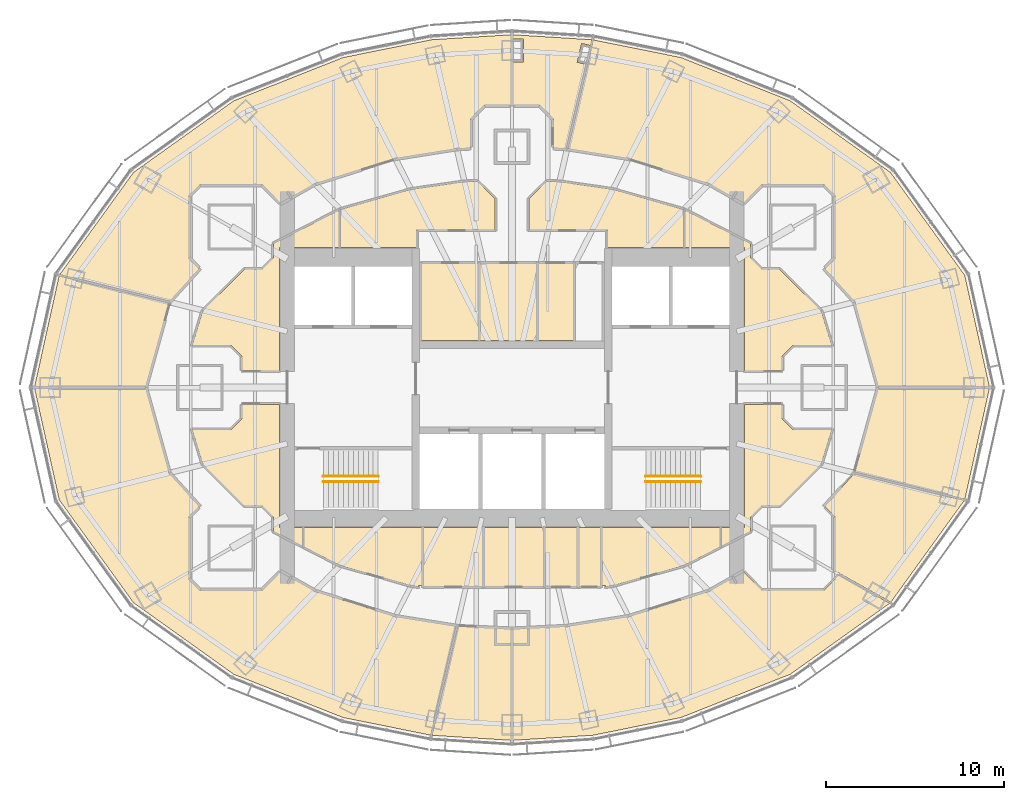
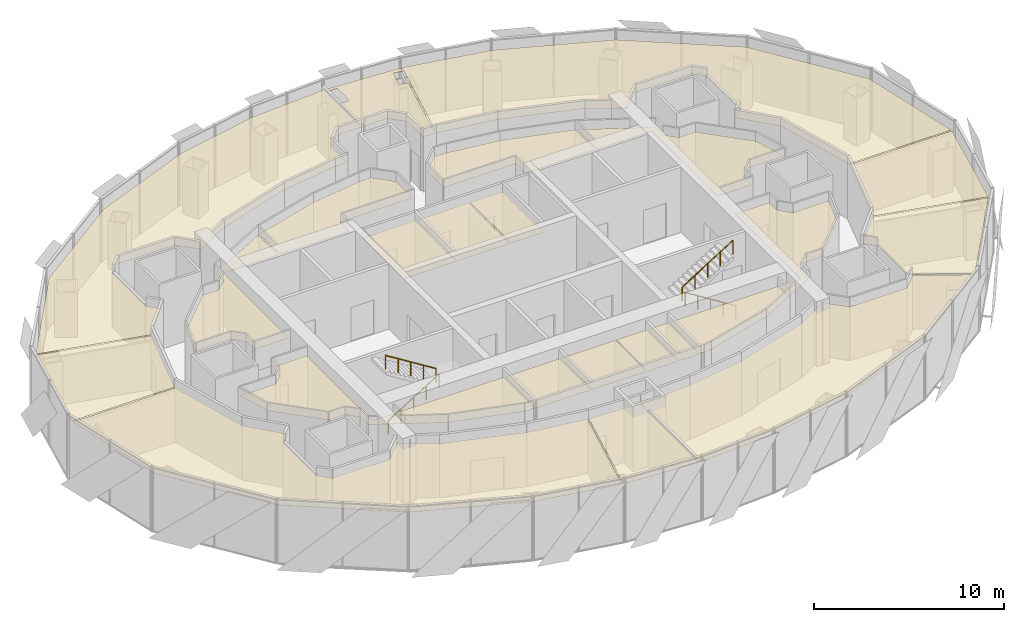
# One storey, part 18 of 18: 24 coverings, 4 railings.
"""IFC4 building model written with IfcOpenShell, lengths in metres."""

from ifc_helpers import new_model, si_unit, direction, frame, origin, origin_2d, place, context, subcontext, project, spatial, polyline, circle, outline, extrude, material, layer, layer_set, type_object, element, save


model = new_model("IFC4")

# Units and contexts
model_context = context("Model", 3, precision=1e-05, world=origin(), true_north=direction((0.0, 1.0)))
body_context = subcontext(model_context, "Body", "Model", "MODEL_VIEW")
ifc_project = project(units=[si_unit("LENGTHUNIT", "METRE"), si_unit("AREAUNIT", "SQUARE_METRE"), si_unit("VOLUMEUNIT", "CUBIC_METRE"), si_unit("PLANEANGLEUNIT", "RADIAN"), si_unit("MASSUNIT", "GRAM", prefix="KILO")], contexts=[model_context])

# Site, building, storey
site_placement = place(None, origin())
site = spatial("IfcSite", under=ifc_project, at=site_placement, CompositionType="ELEMENT")
building_placement = place(site_placement, origin())
building = spatial("IfcBuilding", under=site, at=building_placement, Name="Lantaw Convention Tower", CompositionType="ELEMENT")
storey_placement = place(building_placement, frame((0.0, 0.0, 262.0)))
storey = spatial("IfcBuildingStorey", under=building, at=storey_placement, Name="L61", CompositionType="ELEMENT", Elevation=262.0)

# Railings
ifc_material_1 = material(Name="Stainless steel", Category="steel")
railing_type = type_object("IfcRailingType", Name="Stair handrail", PredefinedType="HANDRAIL", material=ifc_material_1)
railing_1_placement = place(storey_placement, frame((-10.580078125, -5.280029296875, 0.175048828125)))
element("IfcRailing", 1, at=railing_1_placement, inside=storey, type_object=railing_type, Name="Stair handrail S1", PredefinedType="HANDRAIL", context=body_context, shape_type="SweptSolid", body=[
    extrude(circle(Radius=0.02392578125, at=origin_2d()), frame((0.0, 0.0, 0.8759765625), z_axis=(0.847998304005, 0.0, 0.529998940003), x_axis=(0.0, 1.0, 0.0)), (0.0, 0.0, 1.0), 3.632080078125),
    extrude(circle(Radius=0.02099609375, at=origin_2d()), origin(), (0.0, 0.0, 1.0), 0.851806640625),
    extrude(circle(Radius=0.02099609375, at=origin_2d()), frame((0.77001953125, 0.0, 0.481201171875)), (0.0, 0.0, 1.0), 0.851806640625),
    extrude(circle(Radius=0.02099609375, at=origin_2d()), frame((1.5400390625, 0.0, 0.96240234375)), (0.0, 0.0, 1.0), 0.851806640625),
    extrude(circle(Radius=0.02099609375, at=origin_2d()), frame((2.31005859375, 0.0, 1.44384765625)), (0.0, 0.0, 1.0), 0.851806640625),
    extrude(circle(Radius=0.02099609375, at=origin_2d()), frame((3.080078125, 0.0, 1.925048828125)), (0.0, 0.0, 1.0), 0.851806640625),
])
for number, where, name in (
    (2, (-7.5, -4.97998046875, 2.27490234375), "Stair handrail S1"),
    (3, (10.580078125, -5.280029296875, 0.175048828125), "Stair handrail S2"),
):
    element("IfcRailing", number, at=place(storey_placement, frame(where)), inside=storey, type_object=railing_type, Name=name, PredefinedType="HANDRAIL", context=body_context, shape_type="SweptSolid", body=[
        extrude(circle(Radius=0.02392578125, at=origin_2d()), frame((0.0, 0.0, 0.8759765625), z_axis=(-0.847998304005, 0.0, 0.529998940003), x_axis=(0.0, -1.0, 0.0)), (0.0, 0.0, 1.0), 3.632080078125),
        extrude(circle(Radius=0.02099609375, at=origin_2d()), origin(), (0.0, 0.0, 1.0), 0.851806640625),
        extrude(circle(Radius=0.02099609375, at=origin_2d()), frame((-0.77001953125, 0.0, 0.481201171875)), (0.0, 0.0, 1.0), 0.851806640625),
        extrude(circle(Radius=0.02099609375, at=origin_2d()), frame((-1.5400390625, 0.0, 0.96240234375)), (0.0, 0.0, 1.0), 0.851806640625),
        extrude(circle(Radius=0.02099609375, at=origin_2d()), frame((-2.31005859375, 0.0, 1.44384765625)), (0.0, 0.0, 1.0), 0.851806640625),
        extrude(circle(Radius=0.02099609375, at=origin_2d()), frame((-3.080078125, 0.0, 1.925048828125)), (0.0, 0.0, 1.0), 0.851806640625),
    ])
railing_2_placement = place(storey_placement, frame((7.5, -4.97998046875, 2.27490234375)))
element("IfcRailing", 4, at=railing_2_placement, inside=storey, type_object=railing_type, Name="Stair handrail S2", PredefinedType="HANDRAIL", context=body_context, shape_type="SweptSolid", body=[
    extrude(circle(Radius=0.02392578125, at=origin_2d()), frame((0.0, 0.0, 0.8759765625), z_axis=(0.847998304005, 0.0, 0.529998940003), x_axis=(0.0, 1.0, 0.0)), (0.0, 0.0, 1.0), 3.632080078125),
    extrude(circle(Radius=0.02099609375, at=origin_2d()), origin(), (0.0, 0.0, 1.0), 0.851806640625),
    extrude(circle(Radius=0.02099609375, at=origin_2d()), frame((0.77001953125, 0.0, 0.481201171875)), (0.0, 0.0, 1.0), 0.851806640625),
    extrude(circle(Radius=0.02099609375, at=origin_2d()), frame((1.5400390625, 0.0, 0.96240234375)), (0.0, 0.0, 1.0), 0.851806640625),
    extrude(circle(Radius=0.02099609375, at=origin_2d()), frame((2.31005859375, 0.0, 1.44384765625)), (0.0, 0.0, 1.0), 0.851806640625),
    extrude(circle(Radius=0.02099609375, at=origin_2d()), frame((3.080078125, 0.0, 1.925048828125)), (0.0, 0.0, 1.0), 0.851806640625),
])

# Coverings
ifc_material_2 = material(Name="Gypsum board on steel suspension grid", Category="steel")
ifc_layer = layer(ifc_material_2, 0.02001953125)
ifc_layer_set = layer_set([ifc_layer], Name="Suspended ceiling")
covering_type = type_object("IfcCoveringType", Name="Suspended ceiling", PredefinedType="CEILING", material=ifc_layer_set)
covering_1_placement = place(storey_placement, frame((0.0, 0.0, 3.449951171875)))
element("IfcCovering", 5, at=covering_1_placement, inside=storey, type_object=covering_type, Name="Female WC ceiling", PredefinedType="CEILING", context=body_context, shape_type="SweptSolid", body=[
    extrude(outline(polyline([(-5.080078125, 2.639892578125), (-1.88330078125, 2.639892578125), (-1.88330078125, 6.9599609375), (-5.080078125, 6.9599609375), (-5.080078125, 2.639892578125)])), origin(), (0.0, 0.0, 1.0), 0.02001953125),
])
covering_2_placement = place(storey_placement, frame((0.0, 0.0, 3.449951171875)))
element("IfcCovering", 6, at=covering_2_placement, inside=storey, type_object=covering_type, Name="Male WC ceiling", PredefinedType="CEILING", context=body_context, shape_type="SweptSolid", body=[
    extrude(outline(polyline([(-1.80322265625, 2.639892578125), (1.3935546875, 2.639892578125), (1.3935546875, 6.9599609375), (-1.80322265625, 6.9599609375), (-1.80322265625, 2.639892578125)])), origin(), (0.0, 0.0, 1.0), 0.02001953125),
])
covering_3_placement = place(storey_placement, frame((0.0, 0.0, 3.449951171875)))
element("IfcCovering", 7, at=covering_3_placement, inside=storey, type_object=covering_type, Name="Accessible WC ceiling", PredefinedType="CEILING", context=body_context, shape_type="SweptSolid", body=[
    extrude(outline(polyline([(1.4736328125, 2.639892578125), (3.441650390625, 2.639892578125), (3.441650390625, 6.9599609375), (1.4736328125, 6.9599609375), (1.4736328125, 2.639892578125)])), origin(), (0.0, 0.0, 1.0), 0.02001953125),
])
covering_4_placement = place(storey_placement, frame((0.0, 0.0, 3.449951171875)))
element("IfcCovering", 8, at=covering_4_placement, inside=storey, type_object=covering_type, Name="Female WC ceiling", PredefinedType="CEILING", context=body_context, shape_type="SweptSolid", body=[
    extrude(outline(polyline([(-4.9599609375, -11.159912109375), (-1.639892578125, -11.159912109375), (-1.639892578125, -7.840087890625), (-4.9599609375, -7.840087890625), (-4.9599609375, -11.159912109375)])), origin(), (0.0, 0.0, 1.0), 0.02001953125),
])
covering_5_placement = place(storey_placement, frame((0.0, 0.0, 3.449951171875)))
element("IfcCovering", 9, at=covering_5_placement, inside=storey, type_object=covering_type, Name="Male WC ceiling", PredefinedType="CEILING", context=body_context, shape_type="SweptSolid", body=[
    extrude(outline(polyline([(-1.56005859375, -11.159912109375), (1.760009765625, -11.159912109375), (1.760009765625, -7.840087890625), (-1.56005859375, -7.840087890625), (-1.56005859375, -11.159912109375)])), origin(), (0.0, 0.0, 1.0), 0.02001953125),
])
covering_6_placement = place(storey_placement, frame((0.0, 0.0, 3.449951171875)))
element("IfcCovering", 10, at=covering_6_placement, inside=storey, type_object=covering_type, Name="Accessible WC ceiling", PredefinedType="CEILING", context=body_context, shape_type="SweptSolid", body=[
    extrude(outline(polyline([(1.840087890625, -11.159912109375), (3.659912109375, -11.159912109375), (3.659912109375, -7.840087890625), (1.840087890625, -7.840087890625), (1.840087890625, -11.159912109375)])), origin(), (0.0, 0.0, 1.0), 0.02001953125),
])
covering_7_placement = place(storey_placement, frame((0.0, 0.0, 3.449951171875)))
element("IfcCovering", 11, at=covering_7_placement, inside=storey, type_object=covering_type, Name="Pantry ceiling", PredefinedType="CEILING", context=body_context, shape_type="SweptSolid", body=[
    extrude(outline(polyline([(3.739990234375, -11.159912109375), (4.9599609375, -11.159912109375), (4.9599609375, -7.840087890625), (3.739990234375, -7.840087890625), (3.739990234375, -11.159912109375)])), origin(), (0.0, 0.0, 1.0), 0.02001953125),
])
covering_8_placement = place(storey_placement, frame((0.0, 0.0, 3.449951171875)))
element("IfcCovering", 12, at=covering_8_placement, inside=storey, type_object=covering_type, Name="Meeting room ceiling", PredefinedType="CEILING", context=body_context, shape_type="SweptSolid", body=[
    extrude(outline(polyline([(-13.385009765625, -8.062255859375), (-11.75, -8.901611328125), (-11.75, -7.840087890625), (-13.0400390625, -7.840087890625), (-13.0400390625, -0.93994140625), (-15.135009765625, -0.93994140625), (-15.135009765625, -1.7412109375), (-15.7587890625, -2.364990234375), (-17.932861328125, -2.364990234375), (-17.336181640625, -4.31005859375), (-15.008056640625, -6.635009765625), (-14.0087890625, -6.635009765625), (-13.385009765625, -7.2587890625), (-13.385009765625, -8.062255859375)])), origin(), (0.0, 0.0, 1.0), 0.02001953125),
])
covering_9_placement = place(storey_placement, frame((0.0, 0.0, 3.449951171875)))
element("IfcCovering", 13, at=covering_9_placement, inside=storey, type_object=covering_type, Name="Project room ceiling", PredefinedType="CEILING", context=body_context, shape_type="SweptSolid", body=[
    extrude(outline(polyline([(-5.0400390625, -7.840087890625), (-11.669921875, -7.840087890625), (-11.669921875, -8.942626953125), (-9.65576171875, -9.9765625), (-5.67138671875, -11.108154296875), (-5.239990234375, -11.170166015625), (-5.239990234375, -11.110107421875), (-5.0400390625, -11.110107421875), (-5.0400390625, -7.840087890625)])), origin(), (0.0, 0.0, 1.0), 0.02001953125),
])
covering_10_placement = place(storey_placement, frame((0.0, 0.0, 3.449951171875)))
element("IfcCovering", 14, at=covering_10_placement, inside=storey, type_object=covering_type, Name="Tenant storage room ceiling", PredefinedType="CEILING", context=body_context, shape_type="SweptSolid", body=[
    extrude(outline(polyline([(11.669921875, -7.840087890625), (5.0400390625, -7.840087890625), (5.0400390625, -11.110107421875), (5.239990234375, -11.110107421875), (5.239990234375, -11.170166015625), (5.67138671875, -11.108154296875), (9.65576171875, -9.9765625), (11.669921875, -8.942626953125), (11.669921875, -7.840087890625)])), origin(), (0.0, 0.0, 1.0), 0.02001953125),
])
covering_11_placement = place(storey_placement, frame((0.0, 0.0, 3.449951171875)))
element("IfcCovering", 15, at=covering_11_placement, inside=storey, type_object=covering_type, Name="Meeting room ceiling", PredefinedType="CEILING", context=body_context, shape_type="SweptSolid", body=[
    extrude(outline(polyline([(15.135009765625, -0.93994140625), (13.0400390625, -0.93994140625), (13.0400390625, -7.840087890625), (11.75, -7.840087890625), (11.75, -8.901611328125), (13.385009765625, -8.062255859375), (13.385009765625, -7.2587890625), (14.0087890625, -6.635009765625), (15.008056640625, -6.635009765625), (17.336181640625, -4.31005859375), (17.932861328125, -2.364990234375), (15.7587890625, -2.364990234375), (15.135009765625, -1.7412109375), (15.135009765625, -0.93994140625)])), origin(), (0.0, 0.0, 1.0), 0.02001953125),
])
covering_12_placement = place(storey_placement, frame((0.0, 0.0, 3.449951171875)))
element("IfcCovering", 16, at=covering_12_placement, inside=storey, type_object=covering_type, Name="Copy and print room ceiling", PredefinedType="CEILING", context=body_context, shape_type="SweptSolid", body=[
    extrude(outline(polyline([(0.93994140625, 8.840087890625), (5.360107421875, 8.840087890625), (5.360107421875, 7.840087890625), (9.6201171875, 7.840087890625), (9.6201171875, 9.98681640625), (5.67138671875, 11.108154296875), (2.669677734375, 11.5400390625), (1.9462890625, 11.572509765625), (1.548828125, 11.175048828125), (1.53662109375, 11.175048828125), (0.93994140625, 10.577392578125), (0.93994140625, 8.840087890625)])), origin(), (0.0, 0.0, 1.0), 0.02001953125),
])
covering_13_placement = place(storey_placement, frame((0.0, 0.0, 3.449951171875)))
element("IfcCovering", 17, at=covering_13_placement, inside=storey, type_object=covering_type, Name="Project room ceiling", PredefinedType="CEILING", context=body_context, shape_type="SweptSolid", body=[
    extrude(outline(polyline([(13.385009765625, 8.06201171875), (9.699951171875, 9.95166015625), (9.699951171875, 7.840087890625), (13.0400390625, 7.840087890625), (13.0400390625, 0.93994140625), (15.135009765625, 0.93994140625), (15.135009765625, 1.7412109375), (15.7587890625, 2.364990234375), (17.932861328125, 2.364990234375), (17.336181640625, 4.31005859375), (15.008056640625, 6.635009765625), (14.0087890625, 6.635009765625), (13.385009765625, 7.2587890625), (13.385009765625, 8.06201171875)])), origin(), (0.0, 0.0, 1.0), 0.02001953125),
])
covering_14_placement = place(storey_placement, frame((0.0, 0.0, 3.449951171875)))
element("IfcCovering", 18, at=covering_14_placement, inside=storey, type_object=covering_type, Name="Meeting room ceiling", PredefinedType="CEILING", context=body_context, shape_type="SweptSolid", body=[
    extrude(outline(polyline([(-15.135009765625, 1.7412109375), (-15.135009765625, 0.93994140625), (-13.0400390625, 0.93994140625), (-13.0400390625, 7.840087890625), (-9.699951171875, 7.840087890625), (-9.699951171875, 9.95166015625), (-13.385009765625, 8.06201171875), (-13.385009765625, 7.2587890625), (-14.0087890625, 6.635009765625), (-15.008056640625, 6.635009765625), (-17.336181640625, 4.31005859375), (-17.932861328125, 2.364990234375), (-15.7587890625, 2.364990234375), (-15.135009765625, 1.7412109375)])), origin(), (0.0, 0.0, 1.0), 0.02001953125),
])
covering_15_placement = place(storey_placement, frame((0.0, 0.0, 3.449951171875)))
element("IfcCovering", 19, at=covering_15_placement, inside=storey, type_object=covering_type, Name="Comms room ceiling", PredefinedType="CEILING", context=body_context, shape_type="SweptSolid", body=[
    extrude(outline(polyline([(-1.9462890625, 11.572509765625), (-2.669677734375, 11.5400390625), (-5.67138671875, 11.108154296875), (-9.6201171875, 9.98681640625), (-9.6201171875, 7.840087890625), (-5.360107421875, 7.840087890625), (-5.360107421875, 8.840087890625), (-0.93994140625, 8.840087890625), (-0.93994140625, 10.577392578125), (-1.53662109375, 11.175048828125), (-1.548828125, 11.175048828125), (-1.9462890625, 11.572509765625)])), origin(), (0.0, 0.0, 1.0), 0.02001953125),
])
covering_16_placement = place(storey_placement, frame((0.0, 0.0, 3.449951171875)))
element("IfcCovering", 20, at=covering_16_placement, inside=storey, type_object=covering_type, Name="Tenant suite ceiling", PredefinedType="CEILING", context=body_context, shape_type="SweptSolid", body=[
    extrude(outline(polyline([(13.385009765625, 10.72900390625), (13.385009765625, 10.7412109375), (14.0087890625, 11.364990234375), (17.4912109375, 11.364990234375), (18.114990234375, 10.7412109375), (18.114990234375, 7.2587890625), (17.518798828125, 6.66259765625), (19.2080078125, 4.800048828125), (20.530517578125, 0.0400390625), (26.77099609375, 0.0400390625), (25.388916015625, 6.290283203125), (21.224365234375, 12.061767578125), (15.60498046875, 16.076416015625), (9.472900390625, 18.504638671875), (4.55859375, 19.492919921875), (3.130126953125, 13.37939453125), (6.530517578125, 12.837646484375), (11.016845703125, 11.428466796875), (12.973388671875, 10.318115234375), (13.385009765625, 10.72900390625)])), origin(), (0.0, 0.0, 1.0), 0.02001953125),
])
covering_17_placement = place(storey_placement, frame((0.0, 0.0, 3.449951171875)))
element("IfcCovering", 21, at=covering_17_placement, inside=storey, type_object=covering_type, Name="Meeting room ceiling", PredefinedType="CEILING", context=body_context, shape_type="SweptSolid", body=[
    extrude(outline(polyline([(2.324951171875, 15.048828125), (2.324951171875, 13.42431640625), (3.050048828125, 13.38818359375), (4.156005859375, 18.121826171875), (3.65625, 18.2373046875), (3.899169921875, 19.28955078125), (4.40185546875, 19.173583984375), (4.478759765625, 19.5029296875), (0.0400390625, 19.781982421875), (0.0400390625, 19.5400390625), (0.639892578125, 19.5400390625), (0.639892578125, 18.260009765625), (0.0400390625, 18.260009765625), (0.0400390625, 15.824951171875), (1.548828125, 15.824951171875), (2.324951171875, 15.048828125)])), origin(), (0.0, 0.0, 1.0), 0.02001953125),
])
covering_18_placement = place(storey_placement, frame((0.0, 0.0, 3.449951171875)))
element("IfcCovering", 22, at=covering_18_placement, inside=storey, type_object=covering_type, Name="Tenant suite ceiling", PredefinedType="CEILING", context=body_context, shape_type="SweptSolid", body=[
    extrude(outline(polyline([(-17.518798828125, 6.66259765625), (-18.114990234375, 7.2587890625), (-18.114990234375, 10.7412109375), (-17.4912109375, 11.364990234375), (-14.0087890625, 11.364990234375), (-13.385009765625, 10.7412109375), (-13.385009765625, 10.72900390625), (-12.973388671875, 10.318115234375), (-11.016845703125, 11.428466796875), (-6.530517578125, 12.837646484375), (-3.08544921875, 13.386474609375), (-2.324951171875, 13.42431640625), (-2.324951171875, 15.048828125), (-1.548828125, 15.824951171875), (-0.0400390625, 15.824951171875), (-0.0400390625, 19.781982421875), (-4.523193359375, 19.500244140625), (-9.472900390625, 18.504638671875), (-15.60498046875, 16.076416015625), (-21.224365234375, 12.061767578125), (-25.359130859375, 6.331787109375), (-19.185546875, 4.82470703125), (-17.518798828125, 6.66259765625)])), origin(), (0.0, 0.0, 1.0), 0.02001953125),
])
covering_19_placement = place(storey_placement, frame((0.0, 0.0, 3.449951171875)))
element("IfcCovering", 23, at=covering_19_placement, inside=storey, type_object=covering_type, Name="Meeting room ceiling", PredefinedType="CEILING", context=body_context, shape_type="SweptSolid", body=[
    extrude(outline(polyline([(-19.221435546875, 4.7509765625), (-25.39599609375, 6.258544921875), (-26.77099609375, 0.0400390625), (-20.530517578125, 0.0400390625), (-19.221435546875, 4.7509765625)])), origin(), (0.0, 0.0, 1.0), 0.02001953125),
])
covering_20_placement = place(storey_placement, frame((0.0, 0.0, 3.449951171875)))
element("IfcCovering", 24, at=covering_20_placement, inside=storey, type_object=covering_type, Name="Tenant suite ceiling", PredefinedType="CEILING", context=body_context, shape_type="SweptSolid", body=[
    extrude(outline(polyline([(-17.518798828125, -6.66259765625), (-19.2080078125, -4.800048828125), (-20.530517578125, -0.0400390625), (-26.77099609375, -0.0400390625), (-25.388916015625, -6.290283203125), (-21.224365234375, -12.061767578125), (-15.60498046875, -16.076416015625), (-9.472900390625, -18.504638671875), (-4.55859375, -19.492919921875), (-3.130126953125, -13.37939453125), (-6.530517578125, -12.837646484375), (-11.016845703125, -11.428466796875), (-12.973388671875, -10.318115234375), (-13.385009765625, -10.72900390625), (-13.385009765625, -10.7412109375), (-14.0087890625, -11.364990234375), (-17.4912109375, -11.364990234375), (-18.114990234375, -10.7412109375), (-18.114990234375, -7.2587890625), (-17.518798828125, -6.66259765625)])), origin(), (0.0, 0.0, 1.0), 0.02001953125),
])
covering_21_placement = place(storey_placement, frame((0.0, 0.0, 3.449951171875)))
element("IfcCovering", 25, at=covering_21_placement, inside=storey, type_object=covering_type, Name="Meeting room ceiling", PredefinedType="CEILING", context=body_context, shape_type="SweptSolid", body=[
    extrude(outline(polyline([(-3.050048828125, -13.38818359375), (-4.478759765625, -19.5029296875), (-0.0400390625, -19.781982421875), (-0.0400390625, -13.5380859375), (-3.050048828125, -13.38818359375)])), origin(), (0.0, 0.0, 1.0), 0.02001953125),
])
covering_22_placement = place(storey_placement, frame((0.0, 0.0, 3.449951171875)))
element("IfcCovering", 26, at=covering_22_placement, inside=storey, type_object=covering_type, Name="Tenant suite ceiling", PredefinedType="CEILING", context=body_context, shape_type="SweptSolid", body=[
    extrude(outline(polyline([(6.530517578125, -12.837646484375), (3.08544921875, -13.386474609375), (0.0400390625, -13.5380859375), (0.0400390625, -19.781982421875), (4.523193359375, -19.500244140625), (9.472900390625, -18.504638671875), (15.60498046875, -16.076416015625), (21.178466796875, -12.094482421875), (18.34375, -10.501220703125), (18.114990234375, -10.72900390625), (18.114990234375, -10.7412109375), (17.4912109375, -11.364990234375), (14.0087890625, -11.364990234375), (13.385009765625, -10.7412109375), (13.385009765625, -10.72900390625), (12.973388671875, -10.318115234375), (11.016845703125, -11.428466796875), (6.530517578125, -12.837646484375)])), origin(), (0.0, 0.0, 1.0), 0.02001953125),
])
covering_23_placement = place(storey_placement, frame((0.0, 0.0, 3.449951171875)))
element("IfcCovering", 27, at=covering_23_placement, inside=storey, type_object=covering_type, Name="Meeting room ceiling", PredefinedType="CEILING", context=body_context, shape_type="SweptSolid", body=[
    extrude(outline(polyline([(17.518798828125, -6.66259765625), (18.114990234375, -7.2587890625), (18.114990234375, -10.28076171875), (21.241455078125, -12.0380859375), (25.359130859375, -6.331787109375), (19.185546875, -4.82470703125), (17.518798828125, -6.66259765625)])), origin(), (0.0, 0.0, 1.0), 0.02001953125),
])
covering_24_placement = place(storey_placement, frame((0.0, 0.0, 3.449951171875)))
element("IfcCovering", 28, at=covering_24_placement, inside=storey, type_object=covering_type, Name="Pantry ceiling", PredefinedType="CEILING", context=body_context, shape_type="SweptSolid", body=[
    extrude(outline(polyline([(19.221435546875, -4.7509765625), (25.39599609375, -6.258544921875), (26.77099609375, -0.0400390625), (20.530517578125, -0.0400390625), (19.221435546875, -4.7509765625)])), origin(), (0.0, 0.0, 1.0), 0.02001953125),
])

save(model, "model.ifc")
